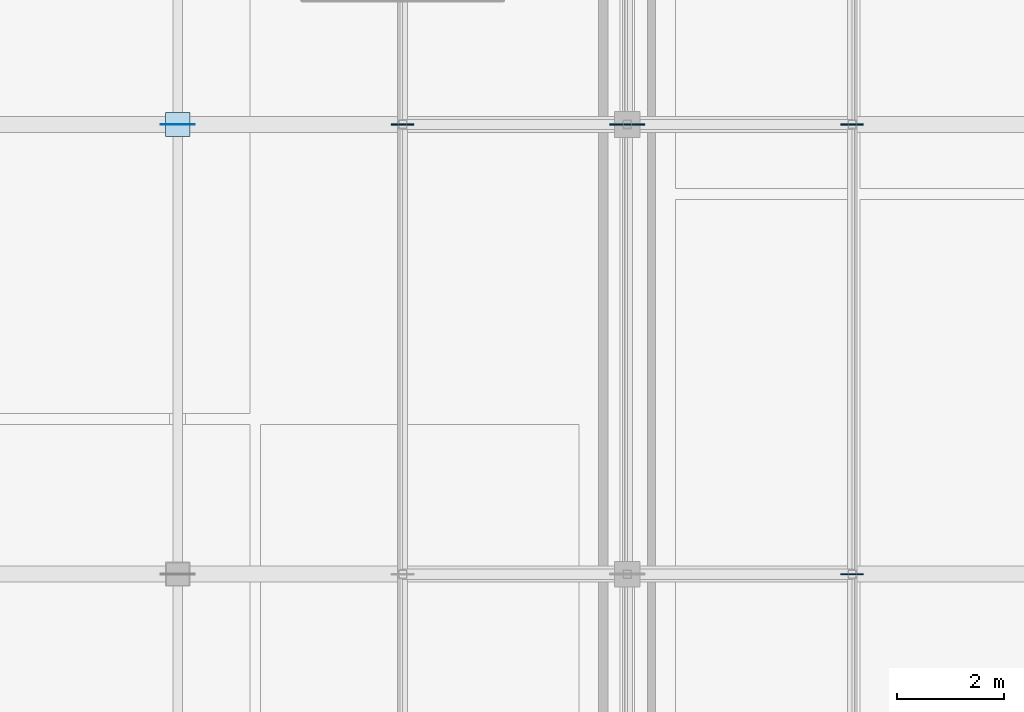
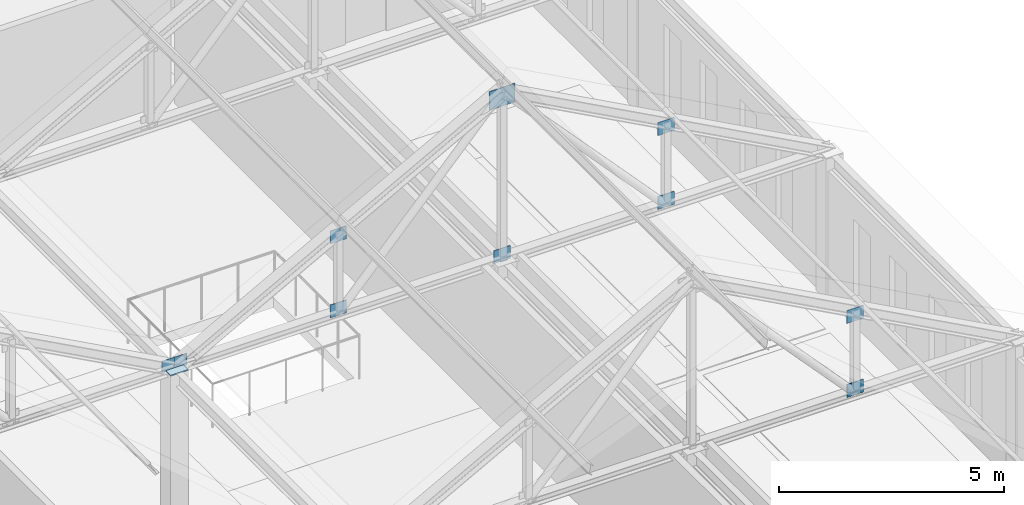
# One storey, part 23 of 36: 11 plates.
"""IFC4 building model written with IfcOpenShell, lengths in metres."""

from ifc_helpers import new_model, si_unit, direction, frame, origin, origin_2d, place, context, subcontext, project, spatial, rectangle, extrude, material, layer, layer_set, type_object, element, save


model = new_model("IFC4")

# Units and contexts
model_context = context("Model", 3, precision=1e-05, world=origin(), true_north=direction((0.0, 1.0)))
body_context = subcontext(model_context, "Body", "Model", "MODEL_VIEW")
ifc_project = project(units=[si_unit("LENGTHUNIT", "METRE"), si_unit("AREAUNIT", "SQUARE_METRE"), si_unit("VOLUMEUNIT", "CUBIC_METRE"), si_unit("PLANEANGLEUNIT", "RADIAN"), si_unit("MASSUNIT", "GRAM", prefix="KILO")], contexts=[model_context])

# Site, building, storey
site_placement = place(None, origin())
site = spatial("IfcSite", under=ifc_project, at=site_placement, CompositionType="ELEMENT")
building_placement = place(site_placement, origin())
building = spatial("IfcBuilding", under=site, at=building_placement, Name="Kveldsbrygga Polytechnic", CompositionType="ELEMENT")
storey_placement = place(building_placement, frame((0.0, 0.0, 26.179931640625)))
storey = spatial("IfcBuildingStorey", under=building, at=storey_placement, Name="L06", CompositionType="ELEMENT", Elevation=26.179931640625)

# Plates
ifc_material = material(Name="Steel S355", Category="steel")
ifc_layer_1 = layer(ifc_material, 0.030029296875)
ifc_layer_set_1 = layer_set([ifc_layer_1], Name="Steel S355")
plate_type_1 = type_object("IfcPlateType", Name="CAP-BEAR-450", PredefinedType="SHEET", material=ifc_layer_set_1)
plate_1_placement = place(storey_placement, frame((142.800048828125, 58.800048828125, 3.81005859375), z_axis=(0.0, 0.0, 1.0), x_axis=(1.0, 0.0, 0.0)))
element("IfcPlate", 1, at=plate_1_placement, inside=storey, type_object=plate_type_1, Name="Truss Bearing Plate V4M1-T06-B", PredefinedType="SHEET", context=body_context, shape_type="SweptSolid", body=[
    extrude(rectangle(XDim=0.449951171875, YDim=0.449951171875, at=origin_2d()), origin(), (0.0, 0.0, 1.0), 0.030029296875),
])
ifc_layer_2 = layer(ifc_material, 0.02490234375)
ifc_layer_set_2 = layer_set([ifc_layer_2], Name="Steel S355")
plate_type_2 = type_object("IfcPlateType", Name="GUS-APEX-650", PredefinedType="SHEET", material=ifc_layer_set_2)
plate_2_placement = place(storey_placement, frame((151.199951171875, 58.800048828125, 7.989990234375), z_axis=(0.0, 0.0, 1.0), x_axis=(1.0, 0.0, 0.0)))
element("IfcPlate", 2, at=plate_2_placement, inside=storey, type_object=plate_type_2, Name="Truss Gusset Plate V4M2-T06-GP-2", PredefinedType="SHEET", context=body_context, shape_type="SweptSolid", body=[
    extrude(rectangle(XDim=0.64990234375, YDim=0.02490234375, at=origin_2d()), origin(), (0.0, 0.0, 1.0), 0.5),
])
ifc_layer_3 = layer(ifc_material, 0.01806640625)
ifc_layer_set_3 = layer_set([ifc_layer_3], Name="Steel S355")
plate_type_3 = type_object("IfcPlateType", Name="GUS-BRACE-320", PredefinedType="SHEET", material=ifc_layer_set_3)
for number, where, z_axis, x_axis, name in (
    (3, (142.639892578125, 58.800048828125, 3.7998046875), (0.0, 0.0, 1.0), (1.0, 0.0, 0.0), "Truss Eaves Node Gusset V4M1-T06-EGP-B"),
    (4, (142.9599609375, 58.800048828125, 3.7998046875), (0.0, 0.0, 1.0), (1.0, 0.0, 0.0), "Truss Eaves Node Gusset V4M2-T06-EGP-A"),
):
    element("IfcPlate", number, at=place(storey_placement, frame(where, z_axis=z_axis, x_axis=x_axis)), inside=storey, type_object=plate_type_3, Name=name, PredefinedType="SHEET", context=body_context, shape_type="SweptSolid", body=[
        extrude(rectangle(XDim=0.320068359375, YDim=0.01806640625, at=origin_2d()), origin(), (0.0, 0.0, 1.0), 0.320068359375),
    ])
ifc_layer_4 = layer(ifc_material, 0.02001953125)
ifc_layer_set_4 = layer_set([ifc_layer_4], Name="Steel S355")
plate_type_4 = type_object("IfcPlateType", Name="GUS-LECT-420", PredefinedType="SHEET", material=ifc_layer_set_4)
for number, where, z_axis, x_axis, name in (
    (5, (155.39990234375, 50.39990234375, 5.7900390625), (0.0, 0.0, 1.0), (1.0, 0.0, 0.0), "Truss Gusset Plate V4M2-T05-GP-3"),
    (6, (155.39990234375, 50.39990234375, 3.784912109375), (0.0, 0.0, 1.0), (1.0, 0.0, 0.0), "Truss Bottom-Chord Node Gusset V4M2-T05-BGP-3"),
    (7, (147.0, 58.800048828125, 5.7900390625), (0.0, 0.0, 1.0), (1.0, 0.0, 0.0), "Truss Gusset Plate V4M2-T06-GP-1"),
    (8, (147.0, 58.800048828125, 3.784912109375), (0.0, 0.0, 1.0), (1.0, 0.0, 0.0), "Truss Bottom-Chord Node Gusset V4M2-T06-BGP-1"),
    (9, (151.199951171875, 58.800048828125, 3.784912109375), (0.0, 0.0, 1.0), (1.0, 0.0, 0.0), "Truss Bottom-Chord Node Gusset V4M2-T06-BGP-2"),
    (10, (155.39990234375, 58.800048828125, 5.7900390625), (0.0, 0.0, 1.0), (1.0, 0.0, 0.0), "Truss Gusset Plate V4M2-T06-GP-3"),
    (11, (155.39990234375, 58.800048828125, 3.784912109375), (0.0, 0.0, 1.0), (1.0, 0.0, 0.0), "Truss Bottom-Chord Node Gusset V4M2-T06-BGP-3"),
):
    element("IfcPlate", number, at=place(storey_placement, frame(where, z_axis=z_axis, x_axis=x_axis)), inside=storey, type_object=plate_type_4, Name=name, PredefinedType="SHEET", context=body_context, shape_type="SweptSolid", body=[
        extrude(rectangle(XDim=0.419921875, YDim=0.02001953125, at=origin_2d()), origin(), (0.0, 0.0, 1.0), 0.35009765625),
    ])

save(model, "model.ifc")
